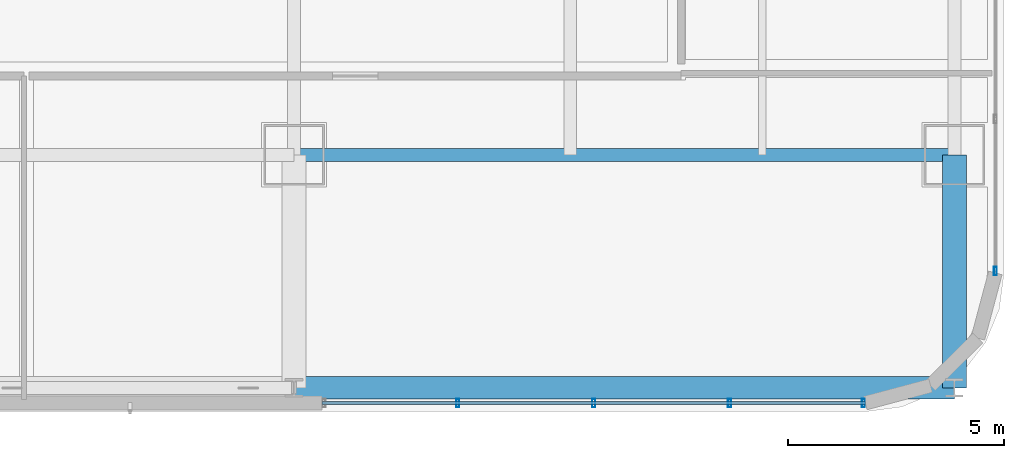
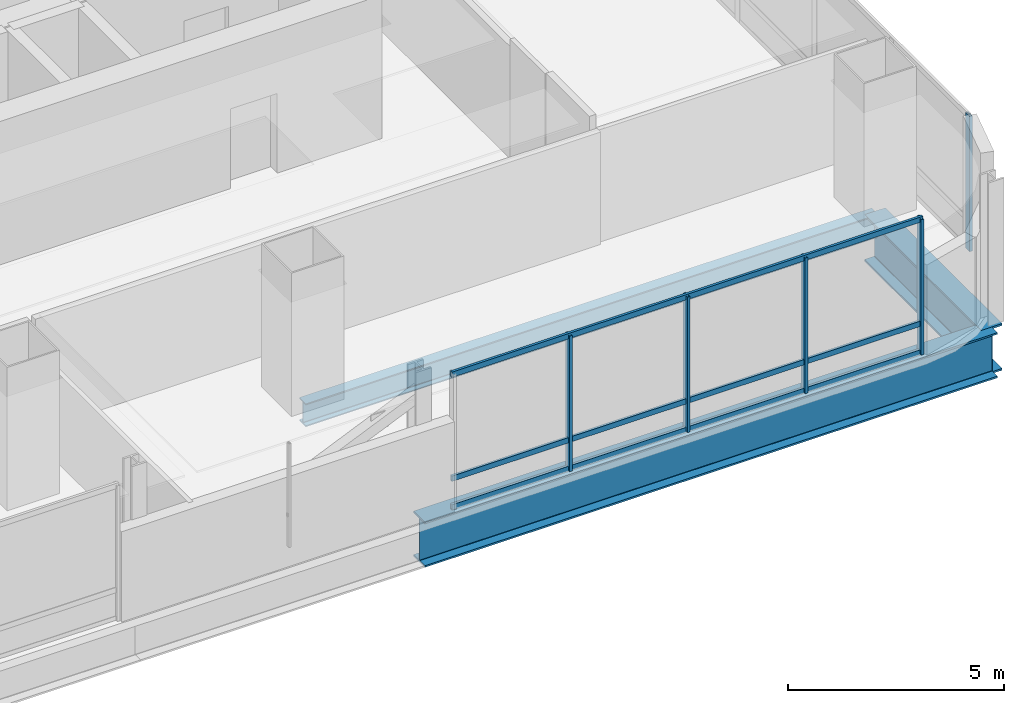
# One storey, part 12 of 38: 8 members, 3 beams, 2 elements without a shape of their own.
"""IFC4 building model written with IfcOpenShell, lengths in metres."""

import ifcopenshell
import ifcopenshell.guid

model = None  # the IFC model being written
_history = None  # IfcOwnerHistory: only IFC2X3 demands one
_inside = {}  # id of a spatial element -> (the spatial element, [elements in it])
_under = {}  # id of a project, library or spatial element -> (it, [spatial elements below it])
_declared = {}  # id of a project -> (the project, [libraries it declares])
_typed = {}  # id of a type object -> (the type object, [elements of that type])
_made_of = {}  # id of a material, layer set ... -> (it, [elements and type objects made of it])


def new_model(schema):
    """Start an empty IFC model of exactly this schema.

    Asked for "IFC4X3", IfcOpenShell would pick the latest addendum, in which some entities
    have other attributes; the version numbers below select the first issue.
    IFC2X3 requires an IfcOwnerHistory on every rooted entity: one is made here for all.
    """
    global model, _history
    if schema == "IFC4X3":
        model = ifcopenshell.file(schema_version=(4, 3, 0, 0))
    else:
        model = ifcopenshell.file(schema=schema)
    _inside.clear()
    _under.clear()
    _declared.clear()
    _typed.clear()
    _made_of.clear()
    _history = None
    if model.schema == "IFC2X3":
        org = make("IfcOrganization", Name="unknown")
        user = make(
            "IfcPersonAndOrganization",
            ThePerson=make("IfcPerson", FamilyName="unknown"),
            TheOrganization=org,
        )
        app = make(
            "IfcApplication",
            ApplicationDeveloper=org,
            Version="unknown",
            ApplicationFullName="unknown",
            ApplicationIdentifier="unknown",
        )
        _history = make(
            "IfcOwnerHistory",
            OwningUser=user,
            OwningApplication=app,
            ChangeAction="ADDED",
            CreationDate=0,
        )
    return model


def make(cls, **values):
    """One entity of the class cls with the attributes given. An attribute that is None is left unset."""
    return model.create_entity(
        cls, **{name: value for name, value in values.items() if value is not None}
    )


def rooted(cls, **values):
    """An entity with a GlobalId (a new one), such as an element, a storey or a relation."""
    return make(cls, GlobalId=ifcopenshell.guid.new(), OwnerHistory=_history, **values)


def si_unit(unit_type, name, prefix=None):
    """IfcSIUnit, for example si_unit("LENGTHUNIT", "METRE", prefix="MILLI")."""
    return make("IfcSIUnit", UnitType=unit_type, Prefix=prefix, Name=name)


def assignment(units):
    """IfcUnitAssignment: the units of a project."""
    return None if units is None else make("IfcUnitAssignment", Units=units)


def point(xyz):
    """IfcCartesianPoint."""
    return None if xyz is None else make("IfcCartesianPoint", Coordinates=xyz)


def direction(xyz):
    """IfcDirection."""
    return None if xyz is None else make("IfcDirection", DirectionRatios=xyz)


def frame(location, z_axis=None, x_axis=None):
    """IfcAxis2Placement3D, a coordinate frame: its origin and axes. An axis left out is left unset."""
    return make(
        "IfcAxis2Placement3D",
        Location=point(location),
        Axis=direction(z_axis),
        RefDirection=direction(x_axis),
    )


def frame_2d(location, x_axis=None):
    """IfcAxis2Placement2D, a coordinate frame in the plane: its origin and x axis."""
    return make(
        "IfcAxis2Placement2D", Location=point(location), RefDirection=direction(x_axis)
    )


def origin():
    """The frame at (0, 0, 0) with its axes left unset."""
    return frame((0.0, 0.0, 0.0))


def origin_2d():
    """The frame at (0, 0) in the plane with its x axis left unset."""
    return frame_2d((0.0, 0.0))


def place(relative_to, where):
    """IfcLocalPlacement: puts the frame where relative to a parent placement (None: the world)."""
    return make(
        "IfcLocalPlacement", PlacementRelTo=relative_to, RelativePlacement=where
    )


def context(
    kind, dimensions, precision=None, world=None, true_north=None, identifier=None
):
    """IfcGeometricRepresentationContext, for example the 3D "Model" context."""
    return make(
        "IfcGeometricRepresentationContext",
        ContextIdentifier=identifier,
        ContextType=kind,
        CoordinateSpaceDimension=dimensions,
        Precision=precision,
        WorldCoordinateSystem=world,
        TrueNorth=true_north,
    )


def subcontext(parent, identifier, kind, view, scale=None):
    """IfcGeometricRepresentationSubContext, for example "Body" below "Model"."""
    return make(
        "IfcGeometricRepresentationSubContext",
        ContextIdentifier=identifier,
        ContextType=kind,
        ParentContext=parent,
        TargetScale=scale,
        TargetView=view,
    )


def project(units=None, contexts=None):
    """IfcProject with its units and contexts."""
    return rooted(
        "IfcProject",
        Name="project",
        RepresentationContexts=contexts,
        UnitsInContext=assignment(units),
    )


def spatial(cls, under=None, at=None, **own):
    """A site, building, storey or space (cls), placed at a placement, below another one or the project."""
    s = rooted(cls, ObjectPlacement=at, **own)
    if under is not None:
        _under.setdefault(under.id(), (under, []))[1].append(s)
    return s


def profile(cls, at=None, kind="AREA", **sizes):
    """A parametric profile (cls). Its sizes go by their IFC names, for example OverallWidth=200.0."""
    return make(cls, ProfileType=kind, Position=at, **sizes)


def hollow_rectangle(**sizes):
    """IfcRectangleHollowProfileDef."""
    return profile("IfcRectangleHollowProfileDef", **sizes)


def i_section(**sizes):
    """IfcIShapeProfileDef."""
    return profile("IfcIShapeProfileDef", **sizes)


def extrude(swept, where, along, depth):
    """IfcExtrudedAreaSolid: the profile swept, set in the frame where, extruded along a direction by depth."""
    return make(
        "IfcExtrudedAreaSolid",
        SweptArea=swept,
        Position=where,
        ExtrudedDirection=direction(along),
        Depth=depth,
    )


def shape(context_of_items, identifier, shape_type, items):
    """IfcShapeRepresentation: the items that make up one representation, for example the "Body"."""
    return make(
        "IfcShapeRepresentation",
        ContextOfItems=context_of_items,
        RepresentationIdentifier=identifier,
        RepresentationType=shape_type,
        Items=items,
    )


def material(Name=None, Category=None):
    """IfcMaterial."""
    return make("IfcMaterial", Name=Name, Category=Category)


def material_profile(
    of_material, cross_section, Name=None, Category=None, Priority=None
):
    """IfcMaterialProfile: a cross section and its material."""
    return make(
        "IfcMaterialProfile",
        Name=Name,
        Material=of_material,
        Profile=cross_section,
        Priority=Priority,
        Category=Category,
    )


def profile_set(profiles, Name=None, composite=None):
    """IfcMaterialProfileSet."""
    return make(
        "IfcMaterialProfileSet",
        Name=Name,
        MaterialProfiles=profiles,
        CompositeProfile=composite,
    )


def made_of(thing, what):
    """Note that an element or type object is made of a material, layer set ...; save() writes the relation."""
    if what is not None:
        _made_of.setdefault(what.id(), (what, []))[1].append(thing)
    return thing


def type_object(cls, material=None, **own):
    """A type object (cls), such as IfcWallType, which elements share."""
    return made_of(rooted(cls, **own), material)


def element(
    cls,
    number,
    at=None,
    inside=None,
    cuts=None,
    type_object=None,
    material=None,
    context=None,
    identifier="Body",
    shape_type=None,
    held_by="IfcProductDefinitionShape",
    body=None,
    shapes=None,
    **own,
):
    """One element of the class cls, such as IfcWall. Its Tag is "e" and its number.

    at: its placement. inside: the storey or other place that contains it. cuts: it is an
    opening in that element (IfcRelVoidsElement). A single representation is given by context,
    identifier, shape_type and body (its items); several are given by shapes. held_by: the class
    of the entity that holds the representations. save() writes the other relations.
    """
    e = rooted(cls, Tag="e%d" % number, ObjectPlacement=at, **own)
    if body is not None:
        shapes = [shape(context, identifier, shape_type, body)]
    if shapes is not None:
        e.Representation = make(held_by, Representations=shapes)
    if inside is not None:
        _inside.setdefault(inside.id(), (inside, []))[1].append(e)
    if cuts is not None:
        rooted(
            "IfcRelVoidsElement", RelatingBuildingElement=cuts, RelatedOpeningElement=e
        )
    if type_object is not None:
        _typed.setdefault(type_object.id(), (type_object, []))[1].append(e)
    return made_of(e, material)


def aggregate(whole, parts):
    """IfcRelAggregates: a whole, such as a stair, and the parts it consists of."""
    return rooted("IfcRelAggregates", RelatingObject=whole, RelatedObjects=parts)


def save(model, path):
    """Write the relations noted so far, then the file.

    IfcRelAggregates (storeys below a building ...), IfcRelContainedInSpatialStructure (elements
    in a storey), IfcRelDefinesByType, IfcRelAssociatesMaterial and IfcRelDeclares: one each for
    every whole, place, type object, material and project.
    """
    for whole, parts in _under.values():
        aggregate(whole, parts)
    for where, things in _inside.values():
        rooted(
            "IfcRelContainedInSpatialStructure",
            RelatedElements=things,
            RelatingStructure=where,
        )
    for kind, things in _typed.values():
        rooted("IfcRelDefinesByType", RelatedObjects=things, RelatingType=kind)
    for what, things in _made_of.values():
        rooted("IfcRelAssociatesMaterial", RelatedObjects=things, RelatingMaterial=what)
    for by, libraries in _declared.values():
        rooted("IfcRelDeclares", RelatingContext=by, RelatedDefinitions=libraries)
    model.write(path)


model = new_model("IFC4")

# Units and contexts
model_context = context("Model", 3, precision=1e-05, world=origin(), true_north=direction((0.0, 1.0)))
body_context = subcontext(model_context, "Body", "Model", "MODEL_VIEW")
ifc_project = project(units=[si_unit("LENGTHUNIT", "METRE"), si_unit("AREAUNIT", "SQUARE_METRE"), si_unit("VOLUMEUNIT", "CUBIC_METRE"), si_unit("PLANEANGLEUNIT", "RADIAN"), si_unit("MASSUNIT", "GRAM", prefix="KILO")], contexts=[model_context])

# Site, building, storey
site_placement = place(None, origin())
site = spatial("IfcSite", under=ifc_project, at=site_placement, CompositionType="ELEMENT")
building_placement = place(site_placement, origin())
building = spatial("IfcBuilding", under=site, at=building_placement, Name="Punatoya Terracotta Tower", CompositionType="ELEMENT")
storey_placement = place(building_placement, frame((0.0, 0.0, 188.39990234375)))
storey = spatial("IfcBuildingStorey", under=building, at=storey_placement, Name="L44", CompositionType="ELEMENT", Elevation=188.39990234375)

# Beams
ifc_material_1 = material(Name="Steel S355", Category="steel")
ifc_material_profile_1 = material_profile(ifc_material_1, i_section(OverallWidth=0.300048828125, OverallDepth=0.64990234375, WebThickness=0.01611328125, FlangeThickness=0.031005859375, FilletRadius=0.01806640625, at=origin_2d()))
ifc_profile_set_1 = profile_set([ifc_material_profile_1], Name="Steel S355")
beam_type_1 = type_object("IfcBeamType", Name="BM-PRI-650", PredefinedType="BEAM", material=ifc_profile_set_1)
beam_1_placement = place(storey_placement, frame((3.800048828125, -17.5, -0.544921875), z_axis=(1.0, 0.0, 0.0), x_axis=(0.0, 1.0, 0.0)))
element("IfcBeam", 1, at=beam_1_placement, inside=storey, type_object=beam_type_1, Name="BM-L44-RG-S3", PredefinedType="BEAM", context=body_context, shape_type="SweptSolid", body=[
    extrude(i_section(OverallWidth=0.300048828125, OverallDepth=0.64990234375, WebThickness=0.01611328125, FlangeThickness=0.031005859375, FilletRadius=0.01806640625, at=origin_2d()), origin(), (0.0, 0.0, 1.0), 15.300048828125),
])
ifc_material_2 = material(Name="Steel S460", Category="steel")
ifc_material_profile_2 = material_profile(ifc_material_2, i_section(OverallWidth=0.56005859375, OverallDepth=1.320068359375, WebThickness=0.035888671875, FlangeThickness=0.054931640625, FilletRadius=0.01806640625, at=origin_2d()))
ifc_profile_set_2 = profile_set([ifc_material_profile_2], Name="Steel S460")
beam_type_2 = type_object("IfcBeamType", Name="BM-TG-BLK", PredefinedType="BEAM", material=ifc_profile_set_2)
beam_2_placement = place(storey_placement, frame((19.10009765625, -22.89990234375, -0.8798828125), z_axis=(0.0, 1.0, 0.0), x_axis=(-1.0, 0.0, 0.0)))
element("IfcBeam", 2, at=beam_2_placement, inside=storey, type_object=beam_type_2, Name="BM-L44-CANT-S4", PredefinedType="BEAM", context=body_context, shape_type="SweptSolid", body=[
    extrude(i_section(OverallWidth=0.56005859375, OverallDepth=1.320068359375, WebThickness=0.035888671875, FlangeThickness=0.054931640625, FilletRadius=0.01806640625, at=origin_2d()), origin(), (0.0, 0.0, 1.0), 5.39990234375),
])
ifc_material_profile_3 = material_profile(ifc_material_2, i_section(OverallWidth=0.52001953125, OverallDepth=1.280029296875, WebThickness=0.031982421875, FlangeThickness=0.050048828125, FilletRadius=0.01806640625, at=origin_2d()))
ifc_profile_set_3 = profile_set([ifc_material_profile_3], Name="Steel S460")
beam_type_3 = type_object("IfcBeamType", Name="BM-TG-NCK", PredefinedType="BEAM", material=ifc_profile_set_3)
beam_3_placement = place(storey_placement, frame((3.800048828125, -22.89990234375, -0.85986328125), z_axis=(1.0, 0.0, 0.0), x_axis=(0.0, 1.0, 0.0)))
element("IfcBeam", 3, at=beam_3_placement, inside=storey, type_object=beam_type_3, Name="BM-L44-PER-S3", PredefinedType="BEAM", context=body_context, shape_type="SweptSolid", body=[
    extrude(i_section(OverallWidth=0.52001953125, OverallDepth=1.280029296875, WebThickness=0.031982421875, FlangeThickness=0.050048828125, FilletRadius=0.01806640625, at=origin_2d()), origin(), (0.0, 0.0, 1.0), 15.300048828125),
])

# Curtain wall, members
ifc_material_3 = material(Name="Aluminium 6063-T6 + Double Low-E Glass", Category="aluminium")
curtain_wall_type = type_object("IfcCurtainWallType", Name="CW-M2", PredefinedType="NOTDEFINED", material=ifc_material_3)
curtain_wall_1_placement = place(storey_placement, origin())
curtain_wall_1 = element("IfcCurtainWall", 4, at=curtain_wall_1_placement, inside=storey, type_object=curtain_wall_type, Name="L44 Curtain Wall CW-L44-S01-2", PredefinedType="NOTDEFINED")
ifc_material_4 = material(Name="Aluminium 6063-T6", Category="aluminium")
ifc_material_profile_4 = material_profile(ifc_material_4, hollow_rectangle(XDim=0.072021484375, YDim=0.195068359375, WallThickness=0.00439453125, at=origin_2d()))
ifc_profile_set_4 = profile_set([ifc_material_profile_4], Name="Aluminium 6063-T6")
member_type_1 = type_object("IfcMemberType", Name="CW-MUL-M2", PredefinedType="MULLION", material=ifc_profile_set_4)
member_1_placement = place(storey_placement, frame((7.5966796875, -23.25, 0.0), z_axis=(0.0, 0.0, 1.0), x_axis=(1.0, 0.0, 0.0)))
member_1 = element("IfcMember", 5, at=member_1_placement, type_object=member_type_1, Name="CW-L44-S01-2 Mullion 01", PredefinedType="MULLION", context=body_context, shape_type="SweptSolid", body=[
    extrude(hollow_rectangle(XDim=0.072021484375, YDim=0.195068359375, WallThickness=0.00439453125, at=origin_2d()), origin(), (0.0, 0.0, 1.0), 3.830078125),
])
member_2_placement = place(storey_placement, frame((10.743408203125, -23.25, 0.0), z_axis=(0.0, 0.0, 1.0), x_axis=(1.0, 0.0, 0.0)))
member_2 = element("IfcMember", 6, at=member_2_placement, type_object=member_type_1, Name="CW-L44-S01-2 Mullion 02", PredefinedType="MULLION", context=body_context, shape_type="SweptSolid", body=[
    extrude(hollow_rectangle(XDim=0.072021484375, YDim=0.195068359375, WallThickness=0.00439453125, at=origin_2d()), origin(), (0.0, 0.0, 1.0), 3.830078125),
])
member_3_placement = place(storey_placement, frame((13.89013671875, -23.25, 0.0), z_axis=(0.0, 0.0, 1.0), x_axis=(1.0, 0.0, 0.0)))
member_3 = element("IfcMember", 7, at=member_3_placement, type_object=member_type_1, Name="CW-L44-S01-2 Mullion 03", PredefinedType="MULLION", context=body_context, shape_type="SweptSolid", body=[
    extrude(hollow_rectangle(XDim=0.072021484375, YDim=0.195068359375, WallThickness=0.00439453125, at=origin_2d()), origin(), (0.0, 0.0, 1.0), 3.830078125),
])
member_4_placement = place(storey_placement, frame((16.991943359375, -23.25, 0.0), z_axis=(0.0, 0.0, 1.0), x_axis=(1.0, 0.0, 0.0)))
member_4 = element("IfcMember", 8, at=member_4_placement, type_object=member_type_1, Name="CW-L44-S01-2 Mullion 04", PredefinedType="MULLION", context=body_context, shape_type="SweptSolid", body=[
    extrude(hollow_rectangle(XDim=0.072021484375, YDim=0.195068359375, WallThickness=0.00439453125, at=origin_2d()), origin(), (0.0, 0.0, 1.0), 3.830078125),
])

# Curtain wall, member
curtain_wall_2_placement = place(storey_placement, origin())
curtain_wall_2 = element("IfcCurtainWall", 9, at=curtain_wall_2_placement, inside=storey, type_object=curtain_wall_type, Name="L44 Curtain Wall CW-L44-E05-1", PredefinedType="NOTDEFINED")
member_5_placement = place(storey_placement, frame((20.050048828125, -20.19189453125, 0.0), z_axis=(0.0, 0.0, 1.0), x_axis=(1.0, 0.0, 0.0)))
member_5 = element("IfcMember", 10, at=member_5_placement, type_object=member_type_1, Name="CW-L44-E05-1 Mullion 00", PredefinedType="MULLION", context=body_context, shape_type="SweptSolid", body=[
    extrude(hollow_rectangle(XDim=0.072021484375, YDim=0.195068359375, WallThickness=0.00439453125, at=origin_2d()), origin(), (0.0, 0.0, 1.0), 3.830078125),
])
aggregate(curtain_wall_2, [member_5])

# Member
ifc_material_profile_5 = material_profile(ifc_material_4, hollow_rectangle(XDim=0.068115234375, YDim=0.14990234375, WallThickness=0.00390625, at=origin_2d()))
ifc_profile_set_5 = profile_set([ifc_material_profile_5], Name="Aluminium 6063-T6")
member_type_2 = type_object("IfcMemberType", Name="CW-TRN-TYP", PredefinedType="USERDEFINED", material=ifc_profile_set_5)
member_6_placement = place(storey_placement, frame((4.449951171875, -23.25, 0.0400390625), z_axis=(1.0, 0.0, 0.0), x_axis=(0.0, 1.0, 0.0)))
member_6 = element("IfcMember", 11, at=member_6_placement, type_object=member_type_2, Name="CW-L44-S01-2 Transom 1", ObjectType="TRANSOM", PredefinedType="USERDEFINED", context=body_context, shape_type="SweptSolid", body=[
    extrude(hollow_rectangle(XDim=0.068115234375, YDim=0.14990234375, WallThickness=0.00390625, at=origin_2d()), origin(), (0.0, 0.0, 1.0), 12.5869140625),
])

member_7_placement = place(storey_placement, frame((4.449951171875, -23.25, 0.85009765625), z_axis=(1.0, 0.0, 0.0), x_axis=(0.0, 1.0, 0.0)))
member_7 = element("IfcMember", 12, at=member_7_placement, type_object=member_type_2, Name="CW-L44-S01-2 Transom 2", ObjectType="TRANSOM", PredefinedType="USERDEFINED", context=body_context, shape_type="SweptSolid", body=[
    extrude(hollow_rectangle(XDim=0.068115234375, YDim=0.14990234375, WallThickness=0.00390625, at=origin_2d()), origin(), (0.0, 0.0, 1.0), 12.5869140625),
])

member_8_placement = place(storey_placement, frame((4.449951171875, -23.25, 3.7900390625), z_axis=(1.0, 0.0, 0.0), x_axis=(0.0, 1.0, 0.0)))
member_8 = element("IfcMember", 13, at=member_8_placement, type_object=member_type_2, Name="CW-L44-S01-2 Transom 3", ObjectType="TRANSOM", PredefinedType="USERDEFINED", context=body_context, shape_type="SweptSolid", body=[
    extrude(hollow_rectangle(XDim=0.068115234375, YDim=0.14990234375, WallThickness=0.00390625, at=origin_2d()), origin(), (0.0, 0.0, 1.0), 12.5869140625),
])

aggregate(curtain_wall_1, [member_1, member_2, member_3, member_4, member_6, member_7, member_8])

save(model, "model.ifc")
